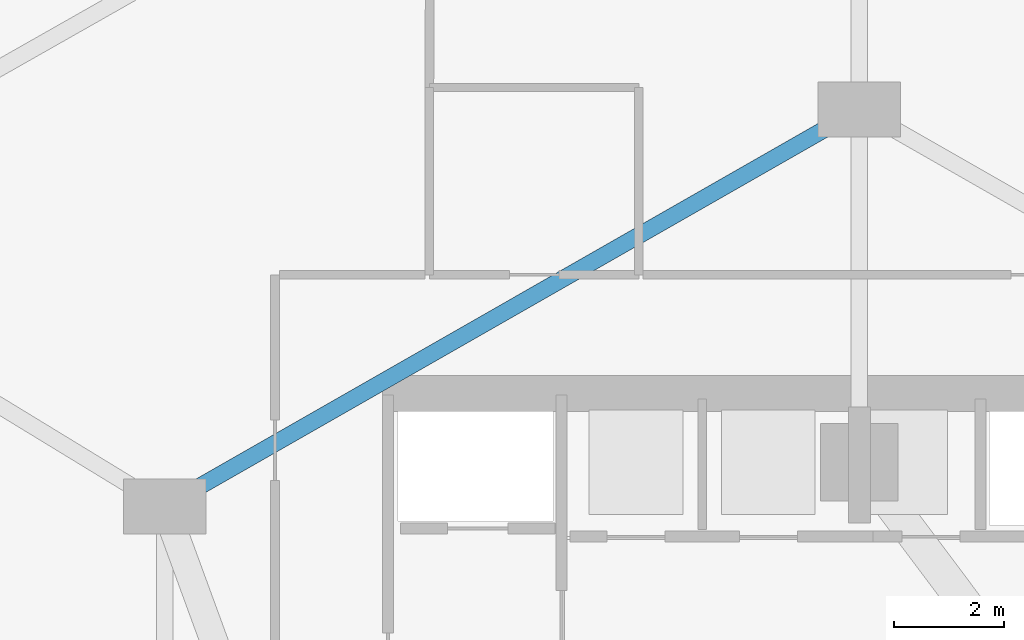
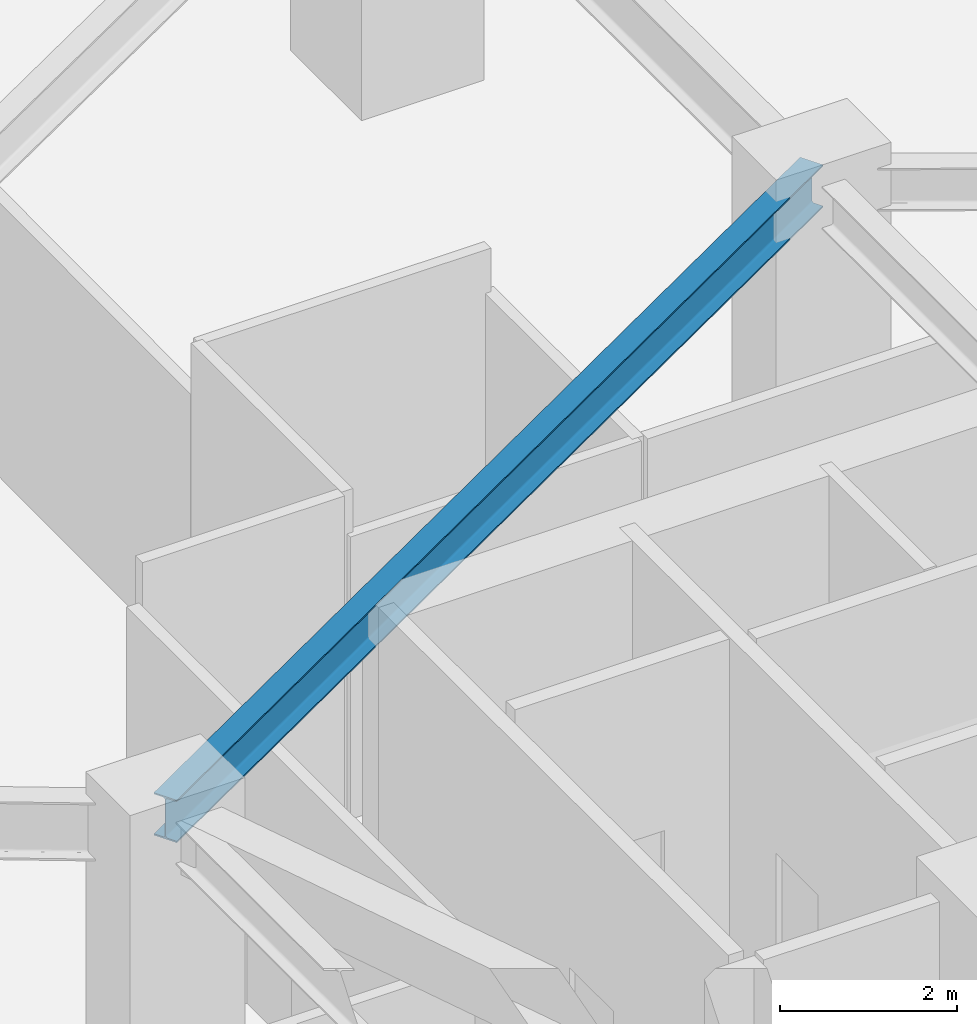
# One storey, part 11 of 32: 1 beam.
"""IFC4 building model written with IfcOpenShell, lengths in metres."""

from ifc_helpers import new_model, si_unit, direction, frame, origin, origin_2d, place, context, subcontext, project, spatial, i_section, extrude, material, material_profile, profile_set, type_object, element, save


model = new_model("IFC4")

# Units and contexts
model_context = context("Model", 3, precision=1e-05, world=origin(), true_north=direction((0.0, 1.0)))
body_context = subcontext(model_context, "Body", "Model", "MODEL_VIEW")
ifc_project = project(units=[si_unit("LENGTHUNIT", "METRE"), si_unit("AREAUNIT", "SQUARE_METRE"), si_unit("VOLUMEUNIT", "CUBIC_METRE"), si_unit("PLANEANGLEUNIT", "RADIAN"), si_unit("MASSUNIT", "GRAM", prefix="KILO")], contexts=[model_context])

# Site, building, storey
site_placement = place(None, origin())
site = spatial("IfcSite", under=ifc_project, at=site_placement, CompositionType="ELEMENT")
building_placement = place(site_placement, origin())
building = spatial("IfcBuilding", under=site, at=building_placement, Name="Miruveldt Soraemaru", CompositionType="ELEMENT")
storey_placement = place(building_placement, origin())
storey = spatial("IfcBuildingStorey", under=building, at=storey_placement, Name="L01", CompositionType="ELEMENT", Elevation=0.0)

# Beam
ifc_material = material(Name="Steel SM355 (355 MPa)", Category="steel")
ifc_material_profile = material_profile(ifc_material, i_section(OverallWidth=0.300048828125, OverallDepth=0.587890625, WebThickness=0.011962890625, FlangeThickness=0.02001953125, FilletRadius=0.028076171875, at=origin_2d()), Name="Steel SM355 (355 MPa)", Category="steel")
ifc_profile_set = profile_set([ifc_material_profile], Name="Steel SM355 (355 MPa)")
beam_type = type_object("IfcBeamType", Name="BM-ST-H588", PredefinedType="BEAM", material=ifc_profile_set)
beam_placement = place(storey_placement, frame((31.39990234375, 50.39990234375, 4.2060546875), z_axis=(0.868239001029, 0.496146185203, 0.0), x_axis=(-0.496146185203, 0.868239001029, 0.0)))
element("IfcBeam", 1, at=beam_placement, inside=storey, type_object=beam_type, Name="L01 Inner Ring Girder 6", PredefinedType="BEAM", context=body_context, shape_type="SweptSolid", body=[
    extrude(i_section(OverallWidth=0.300048828125, OverallDepth=0.587890625, WebThickness=0.011962890625, FlangeThickness=0.02001953125, FilletRadius=0.028076171875, at=origin_2d()), origin(), (0.0, 0.0, 1.0), 14.51220703125),
])

save(model, "model.ifc")
